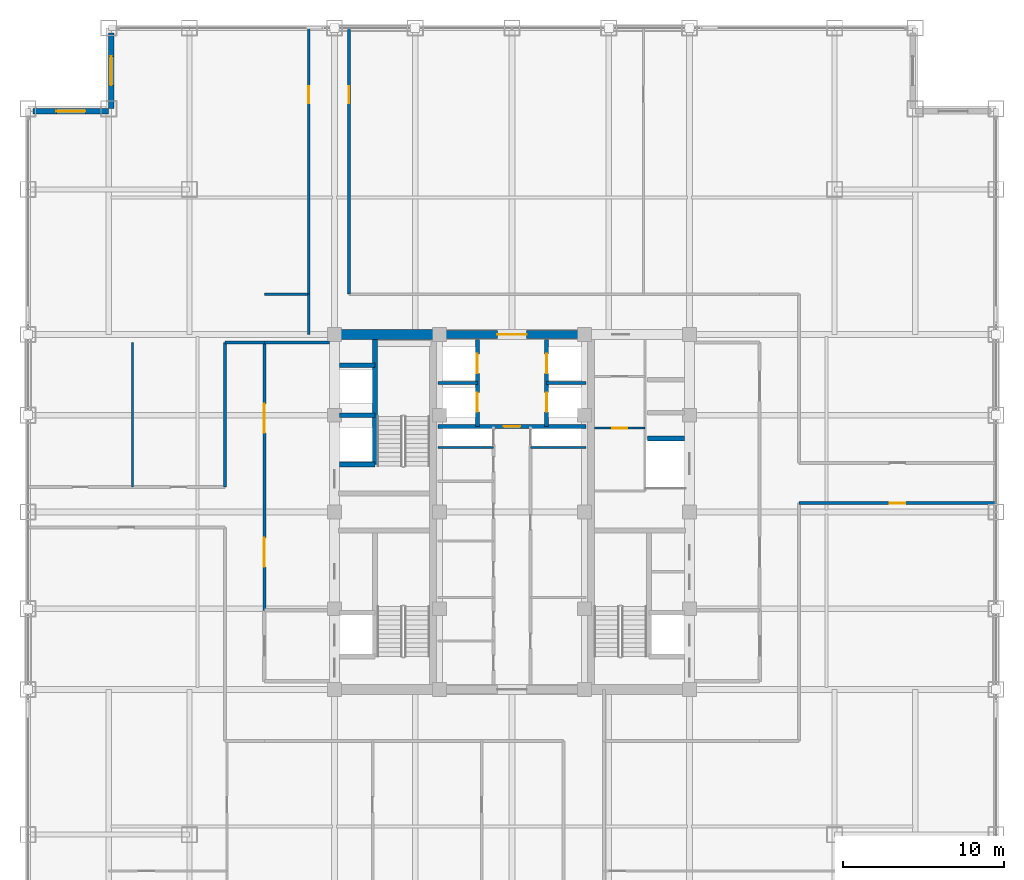
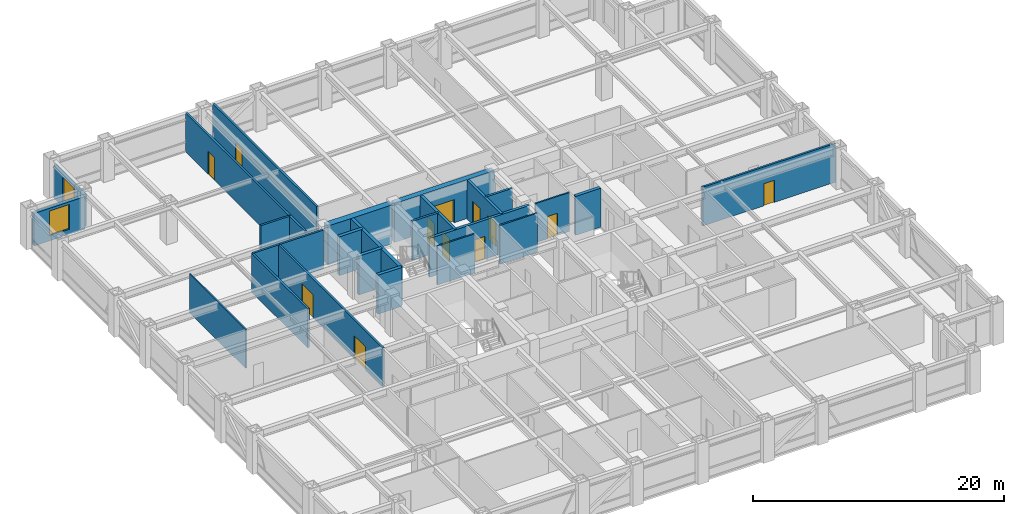
# One storey, part 22 of 24: 27 walls, 12 doors, 2 windows, 14 openings.
"""IFC4 building model written with IfcOpenShell, lengths in metres."""

from ifc_helpers import new_model, si_unit, direction, frame, frame_2d, origin, place, context, subcontext, project, spatial, rectangle, extrude, source, transform, mapped, material, layer, layer_set, type_object, element, fill, save


model = new_model("IFC4")

# Units and contexts
model_context = context("Model", 3, precision=1e-05, world=origin(), true_north=direction((0.0, 1.0)))
body_context = subcontext(model_context, "Body", "Model", "MODEL_VIEW")
ifc_project = project(units=[si_unit("LENGTHUNIT", "METRE"), si_unit("AREAUNIT", "SQUARE_METRE"), si_unit("VOLUMEUNIT", "CUBIC_METRE"), si_unit("PLANEANGLEUNIT", "RADIAN"), si_unit("MASSUNIT", "GRAM", prefix="KILO")], contexts=[model_context])

# Site, building, storey
site_placement = place(None, origin())
site = spatial("IfcSite", under=ifc_project, at=site_placement, CompositionType="ELEMENT")
building_placement = place(site_placement, origin())
building = spatial("IfcBuilding", under=site, at=building_placement, Name="Khorayat Bourse Tower", CompositionType="ELEMENT")
storey_placement = place(building_placement, frame((0.0, 0.0, 215.10009765625)))
storey = spatial("IfcBuildingStorey", under=building, at=storey_placement, Name="L50", CompositionType="ELEMENT", Elevation=215.10009765625)

# Wall, opening, door
ifc_material_1 = material(Name="Concrete C52/65", Category="concrete")
ifc_layer_1 = layer(ifc_material_1, 0.5)
ifc_layer_set_1 = layer_set([ifc_layer_1], Name="Concrete C52/65")
wall_type_1 = type_object("IfcWallType", Name="WAL-CORE-500", PredefinedType="SHEAR", material=ifc_layer_set_1)
shared_shape_1 = source(origin(), body_context, "Body", "SweptSolid", [
    extrude(rectangle(XDim=9.2001953125, YDim=0.5, at=frame_2d((4.60009765625, 0.0))), origin(), (0.0, 0.0, 1.0), 3.77978515625),
])
wall_1_placement = place(storey_placement, frame((-4.60009765625, 11.0, 0.0), z_axis=(0.0, 0.0, 1.0), x_axis=(1.0, 0.0, 0.0)))
wall_1 = element("IfcWall", 1, at=wall_1_placement, inside=storey, type_object=wall_type_1, Name="L50 Core Shear Wall CORE-N", PredefinedType="SHEAR", context=body_context, shape_type="MappedRepresentation", body=[
    mapped(shared_shape_1, transform((0.0, 0.0, 0.0), scale=1.0)),
])
shared_shape_2 = source(origin(), body_context, "Body", "SweptSolid", [
    extrude(rectangle(XDim=1.800048828125, YDim=2.25, at=frame_2d((0.89990234375, 1.125))), frame((0.0, 0.260009765625, 0.0), z_axis=(0.0, -1.0, 0.0), x_axis=(1.0, 0.0, 0.0)), (0.0, 0.0, 1.0), 0.52001953125),
])
opening_1_placement = place(wall_1_placement, frame((3.699951171875, 0.0, 0.0)))
opening_1 = element("IfcOpeningElement", 2, at=opening_1_placement, cuts=wall_1, Name="Opening DI-03", PredefinedType="OPENING", context=body_context, shape_type="MappedRepresentation", body=[
    mapped(shared_shape_2, transform((0.0, 0.0, 0.0), scale=1.0)),
])
ifc_material_2 = material(Name="Fire-rated hardwood vision-panel double leaf", Category="wood")
door_type_1 = type_object("IfcDoorType", Name="DR-INT-CORR-1800", OperationType="NOTDEFINED", PredefinedType="DOOR", material=ifc_material_2)
shared_shape_3 = source(origin(), body_context, "Body", "SweptSolid", [
    extrude(rectangle(XDim=1.800048828125, YDim=2.25, at=frame_2d((0.89990234375, 1.125))), frame((0.0, 0.02490234375, 0.0), z_axis=(0.0, -1.0, 0.0), x_axis=(1.0, 0.0, 0.0)), (0.0, 0.0, 1.0), 0.050048828125),
])
door_1_placement = place(opening_1_placement, origin())
door_1 = element("IfcDoor", 3, at=door_1_placement, inside=storey, type_object=door_type_1, Name="L50 Mid-Rise Lift Lobby Door", OperationType="SINGLE_SWING_RIGHT", OverallHeight=2.25, OverallWidth=1.800048828125, PredefinedType="DOOR", context=body_context, shape_type="MappedRepresentation", body=[
    mapped(shared_shape_3, transform((0.0, 0.0, 0.0), scale=1.0)),
])
fill(opening_1, door_1)

# Wall
ifc_material_3 = material(Name="Concrete C60/75", Category="concrete")
ifc_layer_2 = layer(ifc_material_3, 0.60009765625)
ifc_layer_set_2 = layer_set([ifc_layer_2], Name="Concrete C60/75")
wall_type_2 = type_object("IfcWallType", Name="WAL-CORE-600", PredefinedType="SHEAR", material=ifc_layer_set_2)
shared_shape_4 = source(origin(), body_context, "Body", "SweptSolid", [
    extrude(rectangle(XDim=5.89990234375, YDim=0.60009765625, at=frame_2d((2.949951171875, 0.0))), origin(), (0.0, 0.0, 1.0), 3.77978515625),
])
wall_2_placement = place(storey_placement, frame((-10.75, 11.0, 0.0), z_axis=(0.0, 0.0, 1.0), x_axis=(1.0, 0.0, 0.0)))
element("IfcWall", 4, at=wall_2_placement, inside=storey, type_object=wall_type_2, Name="L50 Core Shear Wall PIER-WN", PredefinedType="SHEAR", context=body_context, shape_type="MappedRepresentation", body=[
    mapped(shared_shape_4, transform((0.0, 0.0, 0.0), scale=1.0)),
])

# Wall, opening, window
ifc_material_4 = material(Name="Precast concrete C45/55", Category="concrete")
ifc_layer_3 = layer(ifc_material_4, 0.320068359375)
ifc_layer_set_3 = layer_set([ifc_layer_3], Name="Precast concrete C45/55")
wall_type_3 = type_object("IfcWallType", Name="WAL-EXT-STONE-320", PredefinedType="STANDARD", material=ifc_layer_set_3)
shared_shape_5 = source(origin(), body_context, "Body", "SweptSolid", [
    extrude(rectangle(XDim=4.679931640625, YDim=0.320068359375, at=frame_2d((2.33984375, 0.0))), origin(), (0.0, 0.0, 1.0), 3.163818359375),
])
wall_3_placement = place(storey_placement, frame((-24.840087890625, 25.0, 0.0), z_axis=(0.0, 0.0, 1.0), x_axis=(0.0, 1.0, 0.0)))
wall_3 = element("IfcWall", 5, at=wall_3_placement, inside=storey, type_object=wall_type_3, Name="L50 Re-Entrant Notch Limestone Wall NW-V", PredefinedType="STANDARD", context=body_context, shape_type="MappedRepresentation", body=[
    mapped(shared_shape_5, transform((0.0, 0.0, 0.0), scale=1.0)),
])
shared_shape_6 = source(origin(), body_context, "Body", "SweptSolid", [
    extrude(rectangle(XDim=1.800048828125, YDim=2.39990234375, at=frame_2d((0.89990234375, 1.199951171875))), frame((0.0, 0.169921875, 0.0), z_axis=(0.0, -1.0, 0.0), x_axis=(1.0, 0.0, 0.0)), (0.0, 0.0, 1.0), 0.340087890625),
])
opening_2_placement = place(wall_3_placement, frame((1.43994140625, 0.0, 0.5)))
opening_2 = element("IfcOpeningElement", 6, at=opening_2_placement, cuts=wall_3, Name="Opening WN-04", PredefinedType="OPENING", context=body_context, shape_type="MappedRepresentation", body=[
    mapped(shared_shape_6, transform((0.0, 0.0, 0.0), scale=1.0)),
])
ifc_material_5 = material(Name="Low-E acoustic laminated double glazing", Category="glass")
window_type = type_object("IfcWindowType", Name="WIN-NOTCH-1800x2400", PartitioningType="SINGLE_PANEL", PredefinedType="WINDOW", material=ifc_material_5)
shared_shape_7 = source(origin(), body_context, "Body", "SweptSolid", [
    extrude(rectangle(XDim=1.800048828125, YDim=2.39990234375, at=frame_2d((0.89990234375, 1.199951171875))), frame((0.0, 0.030029296875, 0.0), z_axis=(0.0, -1.0, 0.0), x_axis=(1.0, 0.0, 0.0)), (0.0, 0.0, 1.0), 0.06005859375),
])
window_1_placement = place(opening_2_placement, origin())
window_1 = element("IfcWindow", 7, at=window_1_placement, inside=storey, type_object=window_type, Name="L50 Facade Window 1", OverallHeight=2.39990234375, OverallWidth=1.800048828125, PartitioningType="SINGLE_PANEL", PredefinedType="WINDOW", context=body_context, shape_type="MappedRepresentation", body=[
    mapped(shared_shape_7, transform((0.0, 0.0, 0.0), scale=1.0)),
])
fill(opening_2, window_1)

wall_4_placement = place(storey_placement, frame((-25.0, 24.840087890625, 0.0), z_axis=(0.0, 0.0, 1.0), x_axis=(-1.0, 0.0, 0.0)))
wall_4 = element("IfcWall", 8, at=wall_4_placement, inside=storey, type_object=wall_type_3, Name="L50 Re-Entrant Notch Limestone Wall NW-H", PredefinedType="STANDARD", context=body_context, shape_type="MappedRepresentation", body=[
    mapped(shared_shape_5, transform((0.0, 0.0, 0.0), scale=1.0)),
])
opening_3_placement = place(wall_4_placement, frame((1.43994140625, 0.0, 0.5)))
opening_3 = element("IfcOpeningElement", 9, at=opening_3_placement, cuts=wall_4, Name="Opening WN-04", PredefinedType="OPENING", context=body_context, shape_type="MappedRepresentation", body=[
    mapped(shared_shape_6, transform((0.0, 0.0, 0.0), scale=1.0)),
])
window_2_placement = place(opening_3_placement, origin())
window_2 = element("IfcWindow", 10, at=window_2_placement, inside=storey, type_object=window_type, Name="L50 Facade Window 1", OverallHeight=2.39990234375, OverallWidth=1.800048828125, PartitioningType="SINGLE_PANEL", PredefinedType="WINDOW", context=body_context, shape_type="MappedRepresentation", body=[
    mapped(shared_shape_7, transform((0.0, 0.0, 0.0), scale=1.0)),
])
fill(opening_3, window_2)

# Walls
ifc_material_6 = material(Name="Concrete C50/60", Category="concrete")
ifc_layer_4 = layer(ifc_material_6, 0.300048828125)
ifc_layer_set_4 = layer_set([ifc_layer_4], Name="Concrete C50/60")
wall_type_4 = type_object("IfcWallType", Name="WAL-SHAFT-300", PredefinedType="SHEAR", material=ifc_layer_set_4)
shared_shape_8 = source(origin(), body_context, "Body", "SweptSolid", [
    extrude(rectangle(XDim=2.199951171875, YDim=0.300048828125, at=frame_2d((1.10009765625, 0.0))), origin(), (0.0, 0.0, 1.0), 3.77978515625),
])
for number, where, z_axis, x_axis, name in (
    (11, (-10.699951171875, 2.949951171875, 0.0), (0.0, 0.0, 1.0), (1.0, 0.0, 0.0), "L50 Partition WAL-L50-WPIER-H1S"),
    (12, (-10.699951171875, 6.0, 0.0), (0.0, 0.0, 1.0), (1.0, 0.0, 0.0), "L50 Partition WAL-L50-WPIER-H12"),
    (13, (-10.699951171875, 9.10009765625, 0.0), (0.0, 0.0, 1.0), (1.0, 0.0, 0.0), "L50 Partition WAL-L50-WPIER-H2N"),
):
    element("IfcWall", number, at=place(storey_placement, frame(where, z_axis=z_axis, x_axis=x_axis)), inside=storey, type_object=wall_type_4, Name=name, PredefinedType="SHEAR", context=body_context, shape_type="MappedRepresentation", body=[
        mapped(shared_shape_8, transform((0.0, 0.0, 0.0), scale=1.0)),
    ])
shared_shape_9 = source(origin(), body_context, "Body", "SweptSolid", [
    extrude(rectangle(XDim=7.75, YDim=0.300048828125, at=frame_2d((3.875, 0.0))), origin(), (0.0, 0.0, 1.0), 3.77978515625),
])
wall_5_placement = place(storey_placement, frame((-8.5, 2.949951171875, 0.0), z_axis=(0.0, 0.0, 1.0), x_axis=(0.0, 1.0, 0.0)))
element("IfcWall", 14, at=wall_5_placement, inside=storey, type_object=wall_type_4, Name="L50 Partition WAL-L50-WPIER-ST2S", PredefinedType="SHEAR", context=body_context, shape_type="MappedRepresentation", body=[
    mapped(shared_shape_9, transform((0.0, 0.0, 0.0), scale=1.0)),
])
shared_shape_10 = source(origin(), body_context, "Body", "SweptSolid", [
    extrude(rectangle(XDim=2.300048828125, YDim=0.300048828125, at=frame_2d((1.14990234375, 0.0))), origin(), (0.0, 0.0, 1.0), 3.77978515625),
])
wall_6_placement = place(storey_placement, frame((8.39990234375, 4.550048828125, 0.0), z_axis=(0.0, 0.0, 1.0), x_axis=(1.0, 0.0, 0.0)))
element("IfcWall", 15, at=wall_6_placement, inside=storey, type_object=wall_type_4, Name="L50 Partition WAL-L50-EPIER-SVLN", PredefinedType="SHEAR", context=body_context, shape_type="MappedRepresentation", body=[
    mapped(shared_shape_10, transform((0.0, 0.0, 0.0), scale=1.0)),
])

# Wall, opening, door
ifc_material_7 = material(Name="Moisture-resistant masonry partition", Category="masonry")
ifc_layer_5 = layer(ifc_material_7, 0.139892578125)
ifc_layer_set_5 = layer_set([ifc_layer_5], Name="Moisture-resistant masonry partition")
wall_type_5 = type_object("IfcWallType", Name="WAL-PART-WET-140", PredefinedType="PARTITIONING", material=ifc_layer_set_5)
shared_shape_11 = source(origin(), body_context, "Body", "SweptSolid", [
    extrude(rectangle(XDim=3.14990234375, YDim=0.139892578125, at=frame_2d((1.574951171875, 0.0))), origin(), (0.0, 0.0, 1.0), 3.77978515625),
])
wall_7_placement = place(storey_placement, frame((5.10009765625, 5.199951171875, 0.0), z_axis=(0.0, 0.0, 1.0), x_axis=(1.0, 0.0, 0.0)))
wall_7 = element("IfcWall", 16, at=wall_7_placement, inside=storey, type_object=wall_type_5, Name="L50 Partition WAL-L50-ECW-HZ", PredefinedType="PARTITIONING", context=body_context, shape_type="MappedRepresentation", body=[
    mapped(shared_shape_11, transform((0.0, 0.0, 0.0), scale=1.0)),
])
shared_shape_12 = source(origin(), body_context, "Body", "SweptSolid", [
    extrude(rectangle(XDim=0.89990234375, YDim=2.14990234375, at=frame_2d((0.449951171875, 1.074951171875))), frame((0.0, 0.079833984375, 0.0), z_axis=(0.0, -1.0, 0.0), x_axis=(1.0, 0.0, 0.0)), (0.0, 0.0, 1.0), 0.159912109375),
])
opening_4_placement = place(wall_7_placement, frame((1.1298828125, 0.0, 0.0)))
opening_4 = element("IfcOpeningElement", 17, at=opening_4_placement, cuts=wall_7, Name="Opening DI-06", PredefinedType="OPENING", context=body_context, shape_type="MappedRepresentation", body=[
    mapped(shared_shape_12, transform((0.0, 0.0, 0.0), scale=1.0)),
])
ifc_material_8 = material(Name="Moisture-resistant laminate washroom door")
door_type_2 = type_object("IfcDoorType", Name="DR-INT-WC-900", OperationType="NOTDEFINED", PredefinedType="DOOR", material=ifc_material_8)
shared_shape_13 = source(origin(), body_context, "Body", "SweptSolid", [
    extrude(rectangle(XDim=0.89990234375, YDim=2.14990234375, at=frame_2d((0.449951171875, 1.074951171875))), frame((0.0, 0.02490234375, 0.0), z_axis=(0.0, -1.0, 0.0), x_axis=(1.0, 0.0, 0.0)), (0.0, 0.0, 1.0), 0.050048828125),
])
door_2_placement = place(opening_4_placement, origin())
door_2 = element("IfcDoor", 18, at=door_2_placement, inside=storey, type_object=door_type_2, Name="L50 Shared Washroom Door", OperationType="SINGLE_SWING_RIGHT", OverallHeight=2.14990234375, OverallWidth=0.89990234375, PredefinedType="DOOR", context=body_context, shape_type="MappedRepresentation", body=[
    mapped(shared_shape_13, transform((0.0, 0.0, 0.0), scale=1.0)),
])
fill(opening_4, door_2)

# Wall
ifc_material_9 = material(Name="Gypsum plasterboard acoustic stud wall")
ifc_layer_6 = layer(ifc_material_9, 0.179931640625)
ifc_layer_set_6 = layer_set([ifc_layer_6], Name="Gypsum plasterboard acoustic stud wall")
wall_type_6 = type_object("IfcWallType", Name="WAL-PART-CORR-180", PredefinedType="PARTITIONING", material=ifc_layer_set_6)
shared_shape_14 = source(origin(), body_context, "Body", "SweptSolid", [
    extrude(rectangle(XDim=4.050048828125, YDim=0.179931640625, at=frame_2d((2.02490234375, 0.0))), origin(), (0.0, 0.0, 1.0), 3.77978515625),
])
wall_8_placement = place(storey_placement, frame((-15.35009765625, 10.5, 0.0), z_axis=(0.0, 0.0, 1.0), x_axis=(1.0, 0.0, 0.0)))
element("IfcWall", 19, at=wall_8_placement, inside=storey, type_object=wall_type_6, Name="L50 Partition WAL-L50-WLOB-N", PredefinedType="PARTITIONING", context=body_context, shape_type="MappedRepresentation", body=[
    mapped(shared_shape_14, transform((0.0, 0.0, 0.0), scale=1.0)),
])

# Wall, openings, doors
shared_shape_15 = source(origin(), body_context, "Body", "SweptSolid", [
    extrude(rectangle(XDim=16.60009765625, YDim=0.179931640625, at=frame_2d((8.300048828125, 0.0))), origin(), (0.0, 0.0, 1.0), 3.77978515625),
])
wall_9_placement = place(storey_placement, frame((-15.35009765625, -6.10009765625, 0.0), z_axis=(0.0, 0.0, 1.0), x_axis=(0.0, 1.0, 0.0)))
wall_9 = element("IfcWall", 20, at=wall_9_placement, inside=storey, type_object=wall_type_6, Name="L50 Partition WAL-L50-WLOB-W", PredefinedType="PARTITIONING", context=body_context, shape_type="MappedRepresentation", body=[
    mapped(shared_shape_15, transform((0.0, 0.0, 0.0), scale=1.0)),
])
shared_shape_16 = source(origin(), body_context, "Body", "SweptSolid", [
    extrude(rectangle(XDim=1.800048828125, YDim=2.25, at=frame_2d((0.89990234375, 1.125))), frame((0.0, 0.099853515625, 0.0), z_axis=(0.0, -1.0, 0.0), x_axis=(1.0, 0.0, 0.0)), (0.0, 0.0, 1.0), 0.199951171875),
])
opening_5_placement = place(wall_9_placement, frame((2.699951171875, 0.0, 0.0)))
opening_5 = element("IfcOpeningElement", 21, at=opening_5_placement, cuts=wall_9, Name="Opening DI-03", PredefinedType="OPENING", context=body_context, shape_type="MappedRepresentation", body=[
    mapped(shared_shape_16, transform((0.0, 0.0, 0.0), scale=1.0)),
])
opening_6_placement = place(wall_9_placement, frame((11.0, 0.0, 0.0)))
opening_6 = element("IfcOpeningElement", 22, at=opening_6_placement, cuts=wall_9, Name="Opening DI-03", PredefinedType="OPENING", context=body_context, shape_type="MappedRepresentation", body=[
    mapped(shared_shape_16, transform((0.0, 0.0, 0.0), scale=1.0)),
])
door_3_placement = place(opening_5_placement, origin())
door_3 = element("IfcDoor", 23, at=door_3_placement, inside=storey, type_object=door_type_1, Name="L50 West Core Lobby South Door", OperationType="SINGLE_SWING_LEFT", OverallHeight=2.25, OverallWidth=1.800048828125, PredefinedType="DOOR", context=body_context, shape_type="MappedRepresentation", body=[
    mapped(shared_shape_3, transform((0.0, 0.0, 0.0), scale=1.0)),
])
fill(opening_5, door_3)
door_4_placement = place(opening_6_placement, origin())
door_4 = element("IfcDoor", 24, at=door_4_placement, inside=storey, type_object=door_type_1, Name="L50 West Core Lobby North Door", OperationType="SINGLE_SWING_RIGHT", OverallHeight=2.25, OverallWidth=1.800048828125, PredefinedType="DOOR", context=body_context, shape_type="MappedRepresentation", body=[
    mapped(shared_shape_3, transform((0.0, 0.0, 0.0), scale=1.0)),
])
fill(opening_6, door_4)

# Walls
ifc_material_10 = material(Name="Gypsum plasterboard twin-frame partition")
ifc_layer_7 = layer(ifc_material_10, 0.14990234375)
ifc_layer_set_7 = layer_set([ifc_layer_7], Name="Gypsum plasterboard twin-frame partition")
wall_type_7 = type_object("IfcWallType", Name="WAL-PART-SUITE-150", PredefinedType="PARTITIONING", material=ifc_layer_set_7)
shared_shape_17 = source(origin(), body_context, "Body", "SweptSolid", [
    extrude(rectangle(XDim=3.4501953125, YDim=0.14990234375, at=frame_2d((1.72509765625, 0.0))), origin(), (0.0, 0.0, 1.0), 3.77978515625),
])
for number, where, z_axis, x_axis, name in (
    (25, (-4.60009765625, 4.0, 0.0), (0.0, 0.0, 1.0), (1.0, 0.0, 0.0), "L50 Partition WAL-L50-CRSW-S"),
    (26, (1.14990234375, 4.0, 0.0), (0.0, 0.0, 1.0), (1.0, 0.0, 0.0), "L50 Partition WAL-L50-CRSE-S"),
):
    element("IfcWall", number, at=place(storey_placement, frame(where, z_axis=z_axis, x_axis=x_axis)), inside=storey, type_object=wall_type_7, Name=name, PredefinedType="PARTITIONING", context=body_context, shape_type="MappedRepresentation", body=[
        mapped(shared_shape_17, transform((0.0, 0.0, 0.0), scale=1.0)),
    ])

# Wall, openings, doors
shared_shape_18 = source(origin(), body_context, "Body", "SweptSolid", [
    extrude(rectangle(XDim=5.39990234375, YDim=0.25, at=frame_2d((2.699951171875, 0.0))), origin(), (0.0, 0.0, 1.0), 3.77978515625),
])
wall_10_placement = place(storey_placement, frame((-2.14990234375, 5.300048828125, 0.0), z_axis=(0.0, 0.0, 1.0), x_axis=(0.0, 1.0, 0.0)))
wall_10 = element("IfcWall", 27, at=wall_10_placement, inside=storey, type_object=wall_type_4, Name="L50 Partition WAL-L50-B2-W", PredefinedType="SHEAR", context=body_context, shape_type="MappedRepresentation", body=[
    mapped(shared_shape_18, transform((0.0, 0.0, 0.0), scale=1.0)),
])
shared_shape_19 = source(origin(), body_context, "Body", "SweptSolid", [
    extrude(rectangle(XDim=1.199951171875, YDim=2.300048828125, at=frame_2d((0.60009765625, 1.14990234375))), frame((0.0, 0.135009765625, 0.0), z_axis=(0.0, -1.0, 0.0), x_axis=(1.0, 0.0, 0.0)), (0.0, 0.0, 1.0), 0.27001953125),
])
opening_7_placement = place(wall_10_placement, frame((3.300048828125, 0.0, 0.0)))
opening_7 = element("IfcOpeningElement", 28, at=opening_7_placement, cuts=wall_10, Name="Opening LD-01", PredefinedType="OPENING", context=body_context, shape_type="MappedRepresentation", body=[
    mapped(shared_shape_19, transform((0.0, 0.0, 0.0), scale=1.0)),
])
opening_8_placement = place(wall_10_placement, frame((0.89990234375, 0.0, 0.0)))
opening_8 = element("IfcOpeningElement", 29, at=opening_8_placement, cuts=wall_10, Name="Opening LD-01", PredefinedType="OPENING", context=body_context, shape_type="MappedRepresentation", body=[
    mapped(shared_shape_19, transform((0.0, 0.0, 0.0), scale=1.0)),
])
ifc_material_11 = material(Name="Brushed bronze stainless-steel sliding door", Category="steel")
door_type_3 = type_object("IfcDoorType", Name="DR-LIFT-PASS-1200", OperationType="NOTDEFINED", PredefinedType="DOOR", material=ifc_material_11)
shared_shape_20 = source(origin(), body_context, "Body", "SweptSolid", [
    extrude(rectangle(XDim=1.199951171875, YDim=2.300048828125, at=frame_2d((0.60009765625, 1.14990234375))), frame((0.0, 0.02490234375, 0.0), z_axis=(0.0, -1.0, 0.0), x_axis=(1.0, 0.0, 0.0)), (0.0, 0.0, 1.0), 0.050048828125),
])
door_5_placement = place(opening_7_placement, origin())
door_5 = element("IfcDoor", 30, at=door_5_placement, inside=storey, type_object=door_type_3, Name="L50 Lift PL-M1 Sliding Landing Door", OperationType="SLIDING_TO_LEFT", OverallHeight=2.300048828125, OverallWidth=1.199951171875, PredefinedType="DOOR", context=body_context, shape_type="MappedRepresentation", body=[
    mapped(shared_shape_20, transform((0.0, 0.0, 0.0), scale=1.0)),
])
fill(opening_7, door_5)
door_6_placement = place(opening_8_placement, origin())
door_6 = element("IfcDoor", 31, at=door_6_placement, inside=storey, type_object=door_type_3, Name="L50 Lift PL-M3 Sliding Landing Door", OperationType="SLIDING_TO_LEFT", OverallHeight=2.300048828125, OverallWidth=1.199951171875, PredefinedType="DOOR", context=body_context, shape_type="MappedRepresentation", body=[
    mapped(shared_shape_20, transform((0.0, 0.0, 0.0), scale=1.0)),
])
fill(opening_8, door_6)

wall_11_placement = place(storey_placement, frame((2.14990234375, 5.300048828125, 0.0), z_axis=(0.0, 0.0, 1.0), x_axis=(0.0, 1.0, 0.0)))
wall_11 = element("IfcWall", 32, at=wall_11_placement, inside=storey, type_object=wall_type_4, Name="L50 Partition WAL-L50-B2-E", PredefinedType="SHEAR", context=body_context, shape_type="MappedRepresentation", body=[
    mapped(shared_shape_18, transform((0.0, 0.0, 0.0), scale=1.0)),
])
opening_9_placement = place(wall_11_placement, frame((3.300048828125, 0.0, 0.0)))
opening_9 = element("IfcOpeningElement", 33, at=opening_9_placement, cuts=wall_11, Name="Opening LD-01", PredefinedType="OPENING", context=body_context, shape_type="MappedRepresentation", body=[
    mapped(shared_shape_19, transform((0.0, 0.0, 0.0), scale=1.0)),
])
opening_10_placement = place(wall_11_placement, frame((0.89990234375, 0.0, 0.0)))
opening_10 = element("IfcOpeningElement", 34, at=opening_10_placement, cuts=wall_11, Name="Opening LD-01", PredefinedType="OPENING", context=body_context, shape_type="MappedRepresentation", body=[
    mapped(shared_shape_19, transform((0.0, 0.0, 0.0), scale=1.0)),
])
door_7_placement = place(opening_9_placement, origin())
door_7 = element("IfcDoor", 35, at=door_7_placement, inside=storey, type_object=door_type_3, Name="L50 Lift PL-M2 Sliding Landing Door", OperationType="SLIDING_TO_LEFT", OverallHeight=2.300048828125, OverallWidth=1.199951171875, PredefinedType="DOOR", context=body_context, shape_type="MappedRepresentation", body=[
    mapped(shared_shape_20, transform((0.0, 0.0, 0.0), scale=1.0)),
])
fill(opening_9, door_7)
door_8_placement = place(opening_10_placement, origin())
door_8 = element("IfcDoor", 36, at=door_8_placement, inside=storey, type_object=door_type_3, Name="L50 Lift PL-M4 Sliding Landing Door", OperationType="SLIDING_TO_LEFT", OverallHeight=2.300048828125, OverallWidth=1.199951171875, PredefinedType="DOOR", context=body_context, shape_type="MappedRepresentation", body=[
    mapped(shared_shape_20, transform((0.0, 0.0, 0.0), scale=1.0)),
])
fill(opening_10, door_8)

# Walls
shared_shape_21 = source(origin(), body_context, "Body", "SweptSolid", [
    extrude(rectangle(XDim=2.4501953125, YDim=0.199951171875, at=frame_2d((1.22509765625, 0.0))), origin(), (0.0, 0.0, 1.0), 3.77978515625),
])
for number, where, z_axis, x_axis, name in (
    (37, (-4.60009765625, 8.0, 0.0), (0.0, 0.0, 1.0), (1.0, 0.0, 0.0), "L50 Partition WAL-L50-B2-MW"),
    (38, (2.14990234375, 8.0, 0.0), (0.0, 0.0, 1.0), (1.0, 0.0, 0.0), "L50 Partition WAL-L50-B2-ME"),
):
    element("IfcWall", number, at=place(storey_placement, frame(where, z_axis=z_axis, x_axis=x_axis)), inside=storey, type_object=wall_type_4, Name=name, PredefinedType="SHEAR", context=body_context, shape_type="MappedRepresentation", body=[
        mapped(shared_shape_21, transform((0.0, 0.0, 0.0), scale=1.0)),
    ])

# Wall, opening, door
shared_shape_22 = source(origin(), body_context, "Body", "SweptSolid", [
    extrude(rectangle(XDim=9.2001953125, YDim=0.25, at=frame_2d((4.60009765625, 0.0))), origin(), (0.0, 0.0, 1.0), 3.77978515625),
])
wall_12_placement = place(storey_placement, frame((-4.60009765625, 5.300048828125, 0.0), z_axis=(0.0, 0.0, 1.0), x_axis=(1.0, 0.0, 0.0)))
wall_12 = element("IfcWall", 39, at=wall_12_placement, inside=storey, type_object=wall_type_4, Name="L50 Partition WAL-L50-B2-S", PredefinedType="SHEAR", context=body_context, shape_type="MappedRepresentation", body=[
    mapped(shared_shape_22, transform((0.0, 0.0, 0.0), scale=1.0)),
])
shared_shape_23 = source(origin(), body_context, "Body", "SweptSolid", [
    extrude(rectangle(XDim=1.050048828125, YDim=2.199951171875, at=frame_2d((0.52490234375, 1.10009765625))), frame((0.0, 0.135009765625, 0.0), z_axis=(0.0, -1.0, 0.0), x_axis=(1.0, 0.0, 0.0)), (0.0, 0.0, 1.0), 0.27001953125),
])
opening_11_placement = place(wall_12_placement, frame((4.074951171875, 0.0, 0.0)))
opening_11 = element("IfcOpeningElement", 40, at=opening_11_placement, cuts=wall_12, Name="Opening DI-04", PredefinedType="OPENING", context=body_context, shape_type="MappedRepresentation", body=[
    mapped(shared_shape_23, transform((0.0, 0.0, 0.0), scale=1.0)),
])
ifc_material_12 = material(Name="Fire-rated oak veneer suite entrance door")
door_type_4 = type_object("IfcDoorType", Name="DR-INT-SUITE-1050", OperationType="NOTDEFINED", PredefinedType="DOOR", material=ifc_material_12)
shared_shape_24 = source(origin(), body_context, "Body", "SweptSolid", [
    extrude(rectangle(XDim=1.050048828125, YDim=2.199951171875, at=frame_2d((0.52490234375, 1.10009765625))), frame((0.0, 0.02490234375, 0.0), z_axis=(0.0, -1.0, 0.0), x_axis=(1.0, 0.0, 0.0)), (0.0, 0.0, 1.0), 0.050048828125),
])
door_9_placement = place(opening_11_placement, origin())
door_9 = element("IfcDoor", 41, at=door_9_placement, inside=storey, type_object=door_type_4, Name="L50 Core Spine North Door", OperationType="SINGLE_SWING_RIGHT", OverallHeight=2.199951171875, OverallWidth=1.050048828125, PredefinedType="DOOR", context=body_context, shape_type="MappedRepresentation", body=[
    mapped(shared_shape_24, transform((0.0, 0.0, 0.0), scale=1.0)),
])
fill(opening_11, door_9)

# Walls
shared_shape_25 = source(origin(), body_context, "Body", "SweptSolid", [
    extrude(rectangle(XDim=2.449951171875, YDim=0.179931640625, at=frame_2d((1.22509765625, 0.0))), origin(), (0.0, 0.0, 1.0), 3.77978515625),
])
wall_13_placement = place(storey_placement, frame((-17.800048828125, 10.5, 0.0), z_axis=(0.0, 0.0, 1.0), x_axis=(1.0, 0.0, 0.0)))
element("IfcWall", 42, at=wall_13_placement, inside=storey, type_object=wall_type_6, Name="L50 Partition WAL-L50-C2-WN", PredefinedType="PARTITIONING", context=body_context, shape_type="MappedRepresentation", body=[
    mapped(shared_shape_25, transform((0.0, 0.0, 0.0), scale=1.0)),
])
shared_shape_26 = source(origin(), body_context, "Body", "SweptSolid", [
    extrude(rectangle(XDim=2.5, YDim=0.179931640625, at=frame_2d((1.25, 0.0))), origin(), (0.0, 0.0, 1.0), 3.77978515625),
])
wall_14_placement = place(storey_placement, frame((-12.60009765625, 11.0, 0.0), z_axis=(0.0, 0.0, 1.0), x_axis=(0.0, 1.0, 0.0)))
element("IfcWall", 43, at=wall_14_placement, inside=storey, type_object=wall_type_6, Name="L50 Partition WAL-L50-C2-NCW", PredefinedType="PARTITIONING", context=body_context, shape_type="MappedRepresentation", body=[
    mapped(shared_shape_26, transform((0.0, 0.0, 0.0), scale=1.0)),
])

# Wall, opening, door
shared_shape_27 = source(origin(), body_context, "Body", "SweptSolid", [
    extrude(rectangle(XDim=16.5, YDim=0.179931640625, at=frame_2d((8.25, 0.0))), origin(), (0.0, 0.0, 1.0), 3.77978515625),
])
wall_15_placement = place(storey_placement, frame((-12.60009765625, 13.5, 0.0), z_axis=(0.0, 0.0, 1.0), x_axis=(0.0, 1.0, 0.0)))
wall_15 = element("IfcWall", 44, at=wall_15_placement, inside=storey, type_object=wall_type_6, Name="L50 Partition WAL-L50-QNW-SPK", PredefinedType="PARTITIONING", context=body_context, shape_type="MappedRepresentation", body=[
    mapped(shared_shape_27, transform((0.0, 0.0, 0.0), scale=1.0)),
])
shared_shape_28 = source(origin(), body_context, "Body", "SweptSolid", [
    extrude(rectangle(XDim=1.050048828125, YDim=2.199951171875, at=frame_2d((0.52490234375, 1.10009765625))), frame((0.0, 0.099853515625, 0.0), z_axis=(0.0, -1.0, 0.0), x_axis=(1.0, 0.0, 0.0)), (0.0, 0.0, 1.0), 0.199951171875),
])
opening_12_placement = place(wall_15_placement, frame((11.85009765625, 0.0, 0.0)))
opening_12 = element("IfcOpeningElement", 45, at=opening_12_placement, cuts=wall_15, Name="Opening DI-04", PredefinedType="OPENING", context=body_context, shape_type="MappedRepresentation", body=[
    mapped(shared_shape_28, transform((0.0, 0.0, 0.0), scale=1.0)),
])
door_10_placement = place(opening_12_placement, origin())
door_10 = element("IfcDoor", 46, at=door_10_placement, inside=storey, type_object=door_type_4, Name="L50 North-West Radial Spoke Entry", OperationType="SINGLE_SWING_LEFT", OverallHeight=2.199951171875, OverallWidth=1.050048828125, PredefinedType="DOOR", context=body_context, shape_type="MappedRepresentation", body=[
    mapped(shared_shape_24, transform((0.0, 0.0, 0.0), scale=1.0)),
])
fill(opening_12, door_10)

wall_16_placement = place(storey_placement, frame((-10.10009765625, 13.5, 0.0), z_axis=(0.0, 0.0, 1.0), x_axis=(0.0, 1.0, 0.0)))
wall_16 = element("IfcWall", 47, at=wall_16_placement, inside=storey, type_object=wall_type_6, Name="L50 Partition WAL-L50-QNE-SPK", PredefinedType="PARTITIONING", context=body_context, shape_type="MappedRepresentation", body=[
    mapped(shared_shape_27, transform((0.0, 0.0, 0.0), scale=1.0)),
])
opening_13_placement = place(wall_16_placement, frame((11.85009765625, 0.0, 0.0)))
opening_13 = element("IfcOpeningElement", 48, at=opening_13_placement, cuts=wall_16, Name="Opening DI-04", PredefinedType="OPENING", context=body_context, shape_type="MappedRepresentation", body=[
    mapped(shared_shape_28, transform((0.0, 0.0, 0.0), scale=1.0)),
])
door_11_placement = place(opening_13_placement, origin())
door_11 = element("IfcDoor", 49, at=door_11_placement, inside=storey, type_object=door_type_4, Name="L50 North-East Radial Spoke Entry", OperationType="SINGLE_SWING_LEFT", OverallHeight=2.199951171875, OverallWidth=1.050048828125, PredefinedType="DOOR", context=body_context, shape_type="MappedRepresentation", body=[
    mapped(shared_shape_24, transform((0.0, 0.0, 0.0), scale=1.0)),
])
fill(opening_13, door_11)

shared_shape_29 = source(origin(), body_context, "Body", "SweptSolid", [
    extrude(rectangle(XDim=12.199951171875, YDim=0.179931640625, at=frame_2d((6.10009765625, 0.0))), origin(), (0.0, 0.0, 1.0), 3.77978515625),
])
wall_17_placement = place(storey_placement, frame((17.800048828125, 0.550048828125, 0.0), z_axis=(0.0, 0.0, 1.0), x_axis=(1.0, 0.0, 0.0)))
wall_17 = element("IfcWall", 50, at=wall_17_placement, inside=storey, type_object=wall_type_6, Name="L50 Partition WAL-L50-ES-SPK", PredefinedType="PARTITIONING", context=body_context, shape_type="MappedRepresentation", body=[
    mapped(shared_shape_29, transform((0.0, 0.0, 0.0), scale=1.0)),
])
shared_shape_30 = source(origin(), body_context, "Body", "SweptSolid", [
    extrude(rectangle(XDim=0.949951171875, YDim=2.14990234375, at=frame_2d((0.47509765625, 1.074951171875))), frame((0.0, 0.099853515625, 0.0), z_axis=(0.0, -1.0, 0.0), x_axis=(1.0, 0.0, 0.0)), (0.0, 0.0, 1.0), 0.199951171875),
])
opening_14_placement = place(wall_17_placement, frame((5.625, 0.0, 0.0)))
opening_14 = element("IfcOpeningElement", 51, at=opening_14_placement, cuts=wall_17, Name="Opening DI-05", PredefinedType="OPENING", context=body_context, shape_type="MappedRepresentation", body=[
    mapped(shared_shape_30, transform((0.0, 0.0, 0.0), scale=1.0)),
])
ifc_material_13 = material(Name="Acoustic oak veneer office door")
door_type_5 = type_object("IfcDoorType", Name="DR-INT-OFFICE-950", OperationType="NOTDEFINED", PredefinedType="DOOR", material=ifc_material_13)
shared_shape_31 = source(origin(), body_context, "Body", "SweptSolid", [
    extrude(rectangle(XDim=0.949951171875, YDim=2.14990234375, at=frame_2d((0.47509765625, 1.074951171875))), frame((0.0, 0.02490234375, 0.0), z_axis=(0.0, -1.0, 0.0), x_axis=(1.0, 0.0, 0.0)), (0.0, 0.0, 1.0), 0.050048828125),
])
door_12_placement = place(opening_14_placement, origin())
door_12 = element("IfcDoor", 52, at=door_12_placement, inside=storey, type_object=door_type_5, Name="L50 Executive Boardroom ES Door", OperationType="SINGLE_SWING_LEFT", OverallHeight=2.14990234375, OverallWidth=0.949951171875, PredefinedType="DOOR", context=body_context, shape_type="MappedRepresentation", body=[
    mapped(shared_shape_31, transform((0.0, 0.0, 0.0), scale=1.0)),
])
fill(opening_14, door_12)

# Walls
shared_shape_32 = source(origin(), body_context, "Body", "SweptSolid", [
    extrude(rectangle(XDim=2.75, YDim=0.179931640625, at=frame_2d((1.375, 0.0))), origin(), (0.0, 0.0, 1.0), 3.77978515625),
])
wall_18_placement = place(storey_placement, frame((-15.35009765625, 13.5, 0.0), z_axis=(0.0, 0.0, 1.0), x_axis=(1.0, 0.0, 0.0)))
element("IfcWall", 53, at=wall_18_placement, inside=storey, type_object=wall_type_6, Name="L50 Partition WAL-L50-QNW-HC", PredefinedType="PARTITIONING", context=body_context, shape_type="MappedRepresentation", body=[
    mapped(shared_shape_32, transform((0.0, 0.0, 0.0), scale=1.0)),
])
ifc_material_14 = material(Name="Gypsum plasterboard partition")
ifc_layer_8 = layer(ifc_material_14, 0.125)
ifc_layer_set_8 = layer_set([ifc_layer_8], Name="Gypsum plasterboard partition")
wall_type_8 = type_object("IfcWallType", Name="WAL-PART-ROOM-125", PredefinedType="PARTITIONING", material=ifc_layer_set_8)
shared_shape_33 = source(origin(), body_context, "Body", "SweptSolid", [
    extrude(rectangle(XDim=8.949951171875, YDim=0.125, at=frame_2d((4.47509765625, 0.0))), origin(), (0.0, 0.0, 1.0), 3.77978515625),
])
wall_19_placement = place(storey_placement, frame((-23.533935546875, 1.550048828125, 0.0), z_axis=(0.0, 0.0, 1.0), x_axis=(0.0, 1.0, 0.0)))
element("IfcWall", 54, at=wall_19_placement, inside=storey, type_object=wall_type_8, Name="L50 Partition WAL-L50-WN-DV", PredefinedType="PARTITIONING", context=body_context, shape_type="MappedRepresentation", body=[
    mapped(shared_shape_33, transform((0.0, 0.0, 0.0), scale=1.0)),
])
shared_shape_34 = source(origin(), body_context, "Body", "SweptSolid", [
    extrude(rectangle(XDim=8.949951171875, YDim=0.179931640625, at=frame_2d((4.47509765625, 0.0))), origin(), (0.0, 0.0, 1.0), 3.77978515625),
])
wall_20_placement = place(storey_placement, frame((-17.800048828125, 1.550048828125, 0.0), z_axis=(0.0, 0.0, 1.0), x_axis=(0.0, 1.0, 0.0)))
element("IfcWall", 55, at=wall_20_placement, inside=storey, type_object=wall_type_6, Name="L50 Partition WAL-L50-WN-IN", PredefinedType="PARTITIONING", context=body_context, shape_type="MappedRepresentation", body=[
    mapped(shared_shape_34, transform((0.0, 0.0, 0.0), scale=1.0)),
])

save(model, "model.ifc")
